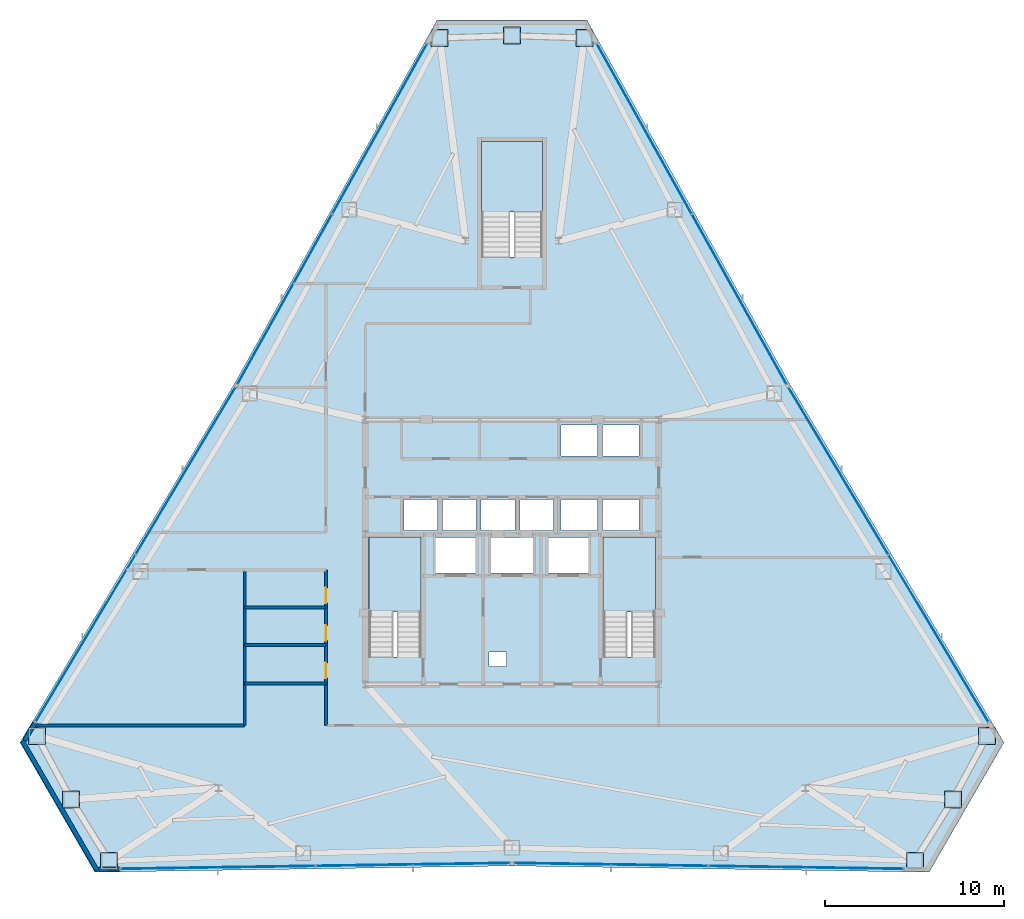
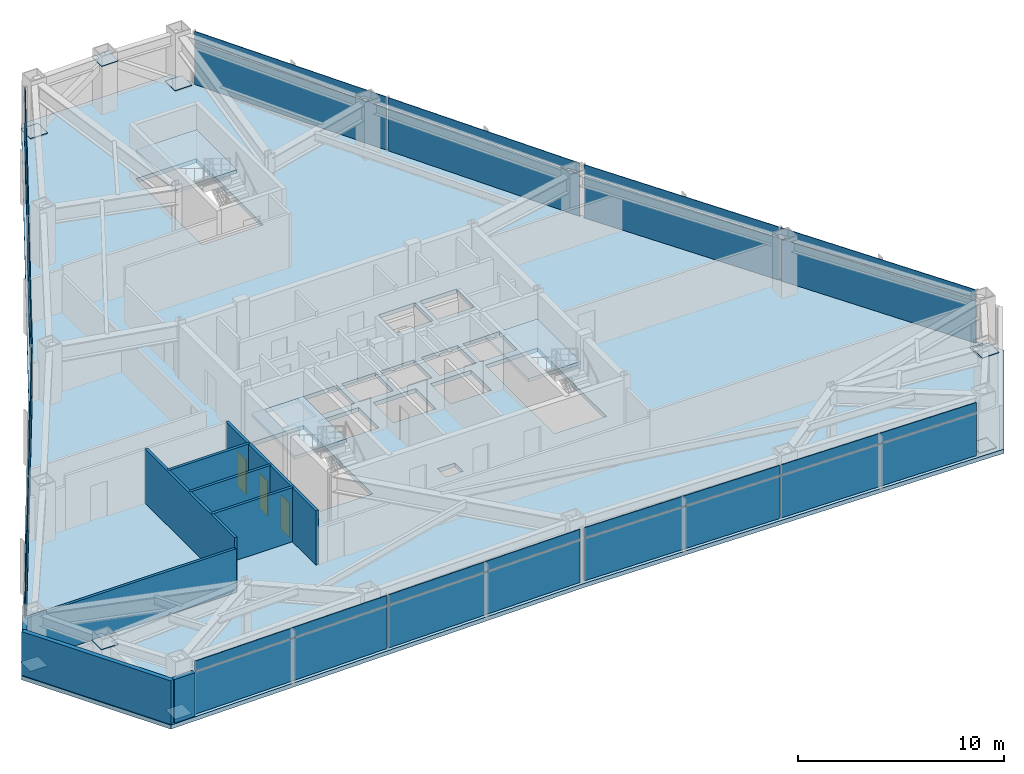
# One storey, part 8 of 11: 33 plates, 9 walls, 4 slabs, 3 doors, 3 openings, 9 elements without a shape of their own.
"""IFC4 building model written with IfcOpenShell, lengths in metres."""

from ifc_helpers import new_model, si_unit, direction, frame, frame_2d, origin, origin_2d, place, context, subcontext, project, spatial, polyline, rectangle, outline, extrude, source, transform, mapped, material, layer, layer_set, type_object, type_shapes, element, fill, aggregate, save


model = new_model("IFC4")

# Units and contexts
model_context = context("Model", 3, precision=1e-05, world=origin(), true_north=direction((0.0, 1.0)))
body_context = subcontext(model_context, "Body", "Model", "MODEL_VIEW")
ifc_project = project(units=[si_unit("LENGTHUNIT", "METRE"), si_unit("AREAUNIT", "SQUARE_METRE"), si_unit("VOLUMEUNIT", "CUBIC_METRE"), si_unit("PLANEANGLEUNIT", "RADIAN"), si_unit("MASSUNIT", "GRAM", prefix="KILO")], contexts=[model_context])

# Site, building, storey
site_placement = place(None, origin())
site = spatial("IfcSite", under=ifc_project, at=site_placement, CompositionType="ELEMENT")
building_placement = place(site_placement, origin())
building = spatial("IfcBuilding", under=site, at=building_placement, Name="Varakhsha Concourse Tower", CompositionType="ELEMENT")
storey_placement = place(building_placement, frame((0.0, 0.0, 140.14990234375)))
storey = spatial("IfcBuildingStorey", under=building, at=storey_placement, Name="L40", CompositionType="ELEMENT", Elevation=140.14990234375)

# Slab
ifc_material_1 = material(Name="Concrete fc 45 MPa", Category="concrete")
ifc_layer_1 = layer(ifc_material_1, 0.239990234375, Name="SL-FLR-240")
ifc_layer_set_1 = layer_set([ifc_layer_1], Name="Concrete fc 45 MPa")
slab_type_1 = type_object("IfcSlabType", Name="SL-FLR-240", PredefinedType="FLOOR", material=ifc_layer_set_1)
slab_1_placement = place(storey_placement, frame((0.0, 0.0, -0.239990234375)))
element("IfcSlab", 1, at=slab_1_placement, inside=storey, type_object=slab_type_1, Name="L40 Composite Structural Slab", PredefinedType="FLOOR", context=body_context, shape_type="SweptSolid", body=[
    extrude(outline(polyline([(44.185791015625, 53.55029296875), (35.814208984375, 53.55029296875), (24.4560546875, 33.17431640625), (12.4892578125, 13.14990234375), (16.6748046875, 5.89990234375), (40.0, 6.25146484375), (63.3251953125, 5.89990234375), (67.5107421875, 13.14990234375), (55.5439453125, 33.17431640625), (44.185791015625, 53.55029296875)]), holes=[polyline([(34.919921875, 17.93994140625), (34.919921875, 24.6298828125), (32.0, 24.6298828125), (32.0, 17.93994140625), (34.919921875, 17.93994140625)]), polyline([(48.02001953125, 17.93994140625), (48.02001953125, 24.6298828125), (45.10009765625, 24.6298828125), (45.10009765625, 17.93994140625), (48.02001953125, 17.93994140625)]), polyline([(41.699951171875, 40.300048828125), (41.699951171875, 46.75), (38.300048828125, 46.75), (38.300048828125, 40.300048828125), (41.699951171875, 40.300048828125)]), polyline([(33.9599609375, 25.0), (35.840087890625, 25.0), (35.840087890625, 26.739990234375), (33.9599609375, 26.739990234375), (33.9599609375, 25.0)]), polyline([(36.1201171875, 25.0), (38.0, 25.0), (38.0, 26.739990234375), (36.1201171875, 26.739990234375), (36.1201171875, 25.0)]), polyline([(38.280029296875, 25.0), (40.159912109375, 25.0), (40.159912109375, 26.739990234375), (38.280029296875, 26.739990234375), (38.280029296875, 25.0)]), polyline([(40.43994140625, 25.0), (42.320068359375, 25.0), (42.320068359375, 26.739990234375), (40.43994140625, 26.739990234375), (40.43994140625, 25.0)]), polyline([(42.739990234375, 29.159912109375), (44.780029296875, 29.159912109375), (44.780029296875, 30.89990234375), (42.739990234375, 30.89990234375), (42.739990234375, 29.159912109375)]), polyline([(45.06005859375, 29.159912109375), (47.10009765625, 29.159912109375), (47.10009765625, 30.89990234375), (45.06005859375, 30.89990234375), (45.06005859375, 29.159912109375)]), polyline([(42.739990234375, 25.0), (44.780029296875, 25.0), (44.780029296875, 26.739990234375), (42.739990234375, 26.739990234375), (42.739990234375, 25.0)]), polyline([(45.06005859375, 25.0), (47.10009765625, 25.0), (47.10009765625, 26.739990234375), (45.06005859375, 26.739990234375), (45.06005859375, 25.0)]), polyline([(35.7099609375, 22.639892578125), (37.989990234375, 22.639892578125), (37.989990234375, 24.60009765625), (35.7099609375, 24.60009765625), (35.7099609375, 22.639892578125)]), polyline([(42.010009765625, 22.639892578125), (44.2900390625, 22.639892578125), (44.2900390625, 24.60009765625), (42.010009765625, 24.60009765625), (42.010009765625, 22.639892578125)]), polyline([(38.81005859375, 22.639892578125), (41.18994140625, 22.639892578125), (41.18994140625, 24.60009765625), (38.81005859375, 24.60009765625), (38.81005859375, 22.639892578125)]), polyline([(38.719970703125, 17.39990234375), (39.679931640625, 17.39990234375), (39.679931640625, 18.199951171875), (38.719970703125, 18.199951171875), (38.719970703125, 17.39990234375)])]), origin(), (0.0, 0.0, 1.0), 0.239990234375),
])

# Stair, slab
stair_type_1 = type_object("IfcStairType", Name="ST-DOGLEG-1360", PredefinedType="HALF_TURN_STAIR", material=ifc_material_1)
stair_1_placement = place(storey_placement, origin())
stair_1 = element("IfcStair", 2, at=stair_1_placement, inside=storey, type_object=stair_type_1, Name="L40 Protected Exit Stair ST1", PredefinedType="HALF_TURN_STAIR")
ifc_layer_2 = layer(ifc_material_1, 0.199951171875, Name="SL-LAND-200")
ifc_layer_set_2 = layer_set([ifc_layer_2], Name="Concrete fc 45 MPa")
slab_type_2 = type_object("IfcSlabType", Name="SL-LAND-200", PredefinedType="LANDING", material=ifc_layer_set_2)
slab_2_placement = place(storey_placement, frame((0.0, 0.0, 1.525146484375)))
slab_2 = element("IfcSlab", 3, at=slab_2_placement, type_object=slab_type_2, Name="ST1 landing 1", PredefinedType="LANDING", context=body_context, shape_type="SweptSolid", body=[
    extrude(outline(polyline([(34.919921875, 20.4599609375), (34.919921875, 24.6298828125), (32.0, 24.6298828125), (32.0, 20.4599609375), (34.919921875, 20.4599609375)])), origin(), (0.0, 0.0, 1.0), 0.199951171875),
])
aggregate(stair_1, [slab_2])

stair_2_placement = place(storey_placement, origin())
stair_2 = element("IfcStair", 4, at=stair_2_placement, inside=storey, type_object=stair_type_1, Name="L40 Protected Exit Stair ST2", PredefinedType="HALF_TURN_STAIR")
slab_3_placement = place(storey_placement, frame((0.0, 0.0, 1.525146484375)))
slab_3 = element("IfcSlab", 5, at=slab_3_placement, type_object=slab_type_2, Name="ST2 landing 1", PredefinedType="LANDING", context=body_context, shape_type="SweptSolid", body=[
    extrude(outline(polyline([(48.02001953125, 20.4599609375), (48.02001953125, 24.6298828125), (45.10009765625, 24.6298828125), (45.10009765625, 20.4599609375), (48.02001953125, 20.4599609375)])), origin(), (0.0, 0.0, 1.0), 0.199951171875),
])
aggregate(stair_2, [slab_3])

stair_type_2 = type_object("IfcStairType", Name="ST-DOGLEG-1600", PredefinedType="HALF_TURN_STAIR", material=ifc_material_1)
stair_3_placement = place(storey_placement, origin())
stair_3 = element("IfcStair", 6, at=stair_3_placement, inside=storey, type_object=stair_type_2, Name="L40 Protected Exit Stair ST5", PredefinedType="HALF_TURN_STAIR")
slab_4_placement = place(storey_placement, frame((0.0, 0.0, 1.525146484375)))
slab_4 = element("IfcSlab", 7, at=slab_4_placement, type_object=slab_type_2, Name="ST5 landing 1", PredefinedType="LANDING", context=body_context, shape_type="SweptSolid", body=[
    extrude(outline(polyline([(41.699951171875, 42.820068359375), (41.699951171875, 46.75), (38.300048828125, 46.75), (38.300048828125, 42.820068359375), (41.699951171875, 42.820068359375)])), origin(), (0.0, 0.0, 1.0), 0.199951171875),
])
aggregate(stair_3, [slab_4])

# Plates
ifc_material_2 = material(Name="Structural Steel ASTM A572 Grade 50", Category="steel")
ifc_layer_3 = layer(ifc_material_2, 0.030029296875, Name="PL-ENDCAP-950")
ifc_layer_set_3 = layer_set([ifc_layer_3], Name="Structural Steel ASTM A572 Grade 50")
plate_type_1 = type_object("IfcPlateType", Name="PL-ENDCAP-950", PredefinedType="USERDEFINED", material=ifc_layer_set_3)
shared_shape_1 = source(origin(), body_context, "Body", "SweptSolid", [
    extrude(rectangle(XDim=0.949951171875, YDim=0.949951171875, at=origin_2d()), origin(), (0.0, 0.0, 1.0), 0.030029296875),
])
type_shapes(plate_type_1, [shared_shape_1])
for number, where, z_axis, x_axis, name in (
    (8, (44.042724609375, 52.54833984375, 0.10498046875), (0.0, 0.0, 1.0), (1.0, 0.0, 0.0), "Hollow Section End Cap GP-NODE-L40-0385"),
    (9, (40.0, 52.670166015625, 2.89501953125), (0.0, 0.0, 1.0), (1.0, 0.0, 0.0), "Hollow Section End Cap GP-NODE-L40-0386"),
    (10, (35.957275390625, 52.54833984375, 0.10498046875), (0.0, 0.0, 1.0), (1.0, 0.0, 0.0), "Hollow Section End Cap GP-NODE-L40-0387"),
    (11, (13.42822265625, 13.527099609375, 0.10498046875), (0.0, 0.0, 1.0), (1.0, 0.0, 0.0), "Hollow Section End Cap GP-NODE-L40-0388"),
    (12, (15.34423828125, 9.96484375, 2.89501953125), (0.0, 0.0, 1.0), (1.0, 0.0, 0.0), "Hollow Section End Cap GP-NODE-L40-0389"),
    (13, (17.47119140625, 6.524658203125, 0.10498046875), (0.0, 0.0, 1.0), (1.0, 0.0, 0.0), "Hollow Section End Cap GP-NODE-L40-0390"),
    (14, (62.52880859375, 6.524658203125, 0.10498046875), (0.0, 0.0, 1.0), (1.0, 0.0, 0.0), "Hollow Section End Cap GP-NODE-L40-0391"),
    (15, (64.65576171875, 9.96484375, 2.89501953125), (0.0, 0.0, 1.0), (1.0, 0.0, 0.0), "Hollow Section End Cap GP-NODE-L40-0392"),
    (16, (66.57177734375, 13.527099609375, 0.10498046875), (0.0, 0.0, 1.0), (1.0, 0.0, 0.0), "Hollow Section End Cap GP-NODE-L40-0393"),
):
    element("IfcPlate", number, at=place(storey_placement, frame(where, z_axis=z_axis, x_axis=x_axis)), inside=storey, type_object=plate_type_1, Name=name, ObjectType="END PLATE", PredefinedType="USERDEFINED", context=body_context, shape_type="MappedRepresentation", body=[
        mapped(shared_shape_1, transform((0.0, 0.0, 0.0), scale=1.0)),
    ])

# Curtain wall, plate
ifc_material_3 = material(Name="Anodised Bronze Architectural Aluminium AA 6063-T6", Category="aluminium")
ifc_layer_4 = layer(ifc_material_3, 0.2099609375, Name="CW-SYS-04")
ifc_layer_set_4 = layer_set([ifc_layer_4], Name="Anodised Bronze Architectural Aluminium AA 6063-T6")
curtain_wall_type = type_object("IfcCurtainWallType", Name="CW-SYS-04", PredefinedType="NOTDEFINED", material=ifc_layer_set_4)
curtain_wall_1_placement = place(storey_placement, origin())
curtain_wall_1 = element("IfcCurtainWall", 17, at=curtain_wall_1_placement, inside=storey, type_object=curtain_wall_type, Name="L40 Crystal Curtain Wall F2", PredefinedType="NOTDEFINED")
ifc_material_4 = material(Name="Low-E Triple Insulating Glass IGU 44 mm", Category="glass")
ifc_layer_5 = layer(ifc_material_4, 0.0439453125, Name="CWP-IGU-44")
ifc_layer_set_5 = layer_set([ifc_layer_5], Name="Low-E Triple Insulating Glass IGU 44 mm")
plate_type_2 = type_object("IfcPlateType", Name="CWP-IGU-44", PredefinedType="CURTAIN_PANEL", material=ifc_layer_set_5)
shared_shape_2 = source(origin(), body_context, "Body", "SweptSolid", [
    extrude(rectangle(XDim=10.834716796875, YDim=0.0439453125, at=origin_2d()), origin(), (0.0, 0.0, 1.0), 2.490966796875),
])
plate_1_placement = place(storey_placement, frame((32.605712890625, 47.465576171875, 0.03466796875), z_axis=(0.0, 0.0, 1.0), x_axis=(0.48689953646, 0.873457979181, 0.0)))
plate_1 = element("IfcPlate", 18, at=plate_1_placement, type_object=plate_type_2, Name="CW-L40-F2 Panel 01-00", PredefinedType="CURTAIN_PANEL", context=body_context, shape_type="MappedRepresentation", body=[
    mapped(shared_shape_2, transform((0.0, 0.0, 0.0), scale=1.0)),
])

curtain_wall_2_placement = place(storey_placement, origin())
curtain_wall_2 = element("IfcCurtainWall", 19, at=curtain_wall_2_placement, inside=storey, type_object=curtain_wall_type, Name="L40 Crystal Curtain Wall F5", PredefinedType="NOTDEFINED")
plate_2_placement = place(storey_placement, frame((23.548583984375, 6.16357421875, 0.03466796875), z_axis=(0.0, 0.0, 1.0), x_axis=(-0.99988654105, -0.015063367057, 0.0)))
plate_2 = element("IfcPlate", 20, at=plate_2_placement, type_object=plate_type_2, Name="CW-L40-F5 Panel 01-00", PredefinedType="CURTAIN_PANEL", context=body_context, shape_type="MappedRepresentation", body=[
    mapped(shared_shape_2, transform((0.0, 0.0, 0.0), scale=1.0)),
])

curtain_wall_3_placement = place(storey_placement, origin())
curtain_wall_3 = element("IfcCurtainWall", 21, at=curtain_wall_3_placement, inside=storey, type_object=curtain_wall_type, Name="L40 Crystal Curtain Wall F6", PredefinedType="NOTDEFINED")
plate_3_placement = place(storey_placement, frame((45.538818359375, 6.327880859375, 0.03466796875), z_axis=(0.0, 0.0, 1.0), x_axis=(-0.99988654105, 0.015063367057, 0.0)))
plate_3 = element("IfcPlate", 22, at=plate_3_placement, type_object=plate_type_2, Name="CW-L40-F6 Panel 01-00", PredefinedType="CURTAIN_PANEL", context=body_context, shape_type="MappedRepresentation", body=[
    mapped(shared_shape_2, transform((0.0, 0.0, 0.0), scale=1.0)),
])

curtain_wall_4_placement = place(storey_placement, origin())
curtain_wall_4 = element("IfcCurtainWall", 23, at=curtain_wall_4_placement, inside=storey, type_object=curtain_wall_type, Name="L40 Crystal Curtain Wall F9", PredefinedType="NOTDEFINED")
plate_4_placement = place(storey_placement, frame((52.708251953125, 37.9326171875, 0.03466796875), z_axis=(0.0, 0.0, 1.0), x_axis=(0.48689953646, -0.873457979181, 0.0)))
plate_4 = element("IfcPlate", 24, at=plate_4_placement, type_object=plate_type_2, Name="CW-L40-F9 Panel 01-00", PredefinedType="CURTAIN_PANEL", context=body_context, shape_type="MappedRepresentation", body=[
    mapped(shared_shape_2, transform((0.0, 0.0, 0.0), scale=1.0)),
])

# Plate
ifc_material_5 = material(Name="Glazed Turquoise-Bronze Ceramic Spandrel Panel 38 mm", Category="ceramic")
ifc_layer_6 = layer(ifc_material_5, 0.0380859375, Name="CWP-SPN-38")
ifc_layer_set_6 = layer_set([ifc_layer_6], Name="Glazed Turquoise-Bronze Ceramic Spandrel Panel 38 mm")
plate_type_3 = type_object("IfcPlateType", Name="CWP-SPN-38", PredefinedType="USERDEFINED", material=ifc_layer_set_6)
shared_shape_3 = source(origin(), body_context, "Body", "SweptSolid", [
    extrude(rectangle(XDim=10.834716796875, YDim=0.0380859375, at=origin_2d()), origin(), (0.0, 0.0, 1.0), 0.5810546875),
])
plate_5_placement = place(storey_placement, frame((32.605712890625, 47.465576171875, 2.594482421875), z_axis=(0.0, 0.0, 1.0), x_axis=(0.48689953646, 0.873457979181, 0.0)))
plate_5 = element("IfcPlate", 25, at=plate_5_placement, type_object=plate_type_3, Name="CW-L40-F2 Panel 01-01", ObjectType="SPANDREL", PredefinedType="USERDEFINED", context=body_context, shape_type="MappedRepresentation", body=[
    mapped(shared_shape_3, transform((0.0, 0.0, 0.0), scale=1.0)),
])

plate_6_placement = place(storey_placement, frame((23.548583984375, 6.16357421875, 2.594482421875), z_axis=(0.0, 0.0, 1.0), x_axis=(-0.99988654105, -0.015063367057, 0.0)))
plate_6 = element("IfcPlate", 26, at=plate_6_placement, type_object=plate_type_3, Name="CW-L40-F5 Panel 01-01", ObjectType="SPANDREL", PredefinedType="USERDEFINED", context=body_context, shape_type="MappedRepresentation", body=[
    mapped(shared_shape_3, transform((0.0, 0.0, 0.0), scale=1.0)),
])

plate_7_placement = place(storey_placement, frame((45.538818359375, 6.327880859375, 2.594482421875), z_axis=(0.0, 0.0, 1.0), x_axis=(-0.99988654105, 0.015063367057, 0.0)))
plate_7 = element("IfcPlate", 27, at=plate_7_placement, type_object=plate_type_3, Name="CW-L40-F6 Panel 01-01", ObjectType="SPANDREL", PredefinedType="USERDEFINED", context=body_context, shape_type="MappedRepresentation", body=[
    mapped(shared_shape_3, transform((0.0, 0.0, 0.0), scale=1.0)),
])

plate_8_placement = place(storey_placement, frame((52.708251953125, 37.9326171875, 2.594482421875), z_axis=(0.0, 0.0, 1.0), x_axis=(0.48689953646, -0.873457979181, 0.0)))
plate_8 = element("IfcPlate", 28, at=plate_8_placement, type_object=plate_type_3, Name="CW-L40-F9 Panel 01-01", ObjectType="SPANDREL", PredefinedType="USERDEFINED", context=body_context, shape_type="MappedRepresentation", body=[
    mapped(shared_shape_3, transform((0.0, 0.0, 0.0), scale=1.0)),
])

shared_shape_4 = source(origin(), body_context, "Body", "SweptSolid", [
    extrude(rectangle(XDim=10.8349609375, YDim=0.0439453125, at=origin_2d()), origin(), (0.0, 0.0, 1.0), 2.490966796875),
])
type_shapes(plate_type_2, [shared_shape_2, shared_shape_4])
plate_9_placement = place(storey_placement, frame((27.291748046875, 37.9326171875, 0.03466796875), z_axis=(0.0, 0.0, 1.0), x_axis=(0.48689953646, 0.873457979181, 0.0)))
plate_9 = element("IfcPlate", 29, at=plate_9_placement, type_object=plate_type_2, Name="CW-L40-F2 Panel 00-00", PredefinedType="CURTAIN_PANEL", context=body_context, shape_type="MappedRepresentation", body=[
    mapped(shared_shape_4, transform((0.0, 0.0, 0.0), scale=1.0)),
])

# Curtain wall, plates
curtain_wall_5_placement = place(storey_placement, origin())
curtain_wall_5 = element("IfcCurtainWall", 30, at=curtain_wall_5_placement, inside=storey, type_object=curtain_wall_type, Name="L40 Crystal Curtain Wall F3", PredefinedType="NOTDEFINED")
plate_10_placement = place(storey_placement, frame((16.154296875, 18.970947265625, 0.03466796875), z_axis=(0.0, 0.0, 1.0), x_axis=(0.512984034508, 0.858398147913, 0.0)))
plate_10 = element("IfcPlate", 31, at=plate_10_placement, type_object=plate_type_2, Name="CW-L40-F3 Panel 00-00", PredefinedType="CURTAIN_PANEL", context=body_context, shape_type="MappedRepresentation", body=[
    mapped(shared_shape_4, transform((0.0, 0.0, 0.0), scale=1.0)),
])
plate_11_placement = place(storey_placement, frame((21.7529296875, 28.33935546875, 0.03466796875), z_axis=(0.0, 0.0, 1.0), x_axis=(0.512984034508, 0.858398147913, 0.0)))
plate_11 = element("IfcPlate", 32, at=plate_11_placement, type_object=plate_type_2, Name="CW-L40-F3 Panel 01-00", PredefinedType="CURTAIN_PANEL", context=body_context, shape_type="MappedRepresentation", body=[
    mapped(shared_shape_4, transform((0.0, 0.0, 0.0), scale=1.0)),
])

# Plate
plate_12_placement = place(storey_placement, frame((34.461181640625, 6.327880859375, 0.03466796875), z_axis=(0.0, 0.0, 1.0), x_axis=(-0.99988654105, -0.015063367057, 0.0)))
plate_12 = element("IfcPlate", 33, at=plate_12_placement, type_object=plate_type_2, Name="CW-L40-F5 Panel 00-00", PredefinedType="CURTAIN_PANEL", context=body_context, shape_type="MappedRepresentation", body=[
    mapped(shared_shape_4, transform((0.0, 0.0, 0.0), scale=1.0)),
])

plate_13_placement = place(storey_placement, frame((56.451416015625, 6.16357421875, 0.03466796875), z_axis=(0.0, 0.0, 1.0), x_axis=(-0.99988654105, 0.015063367057, 0.0)))
plate_13 = element("IfcPlate", 34, at=plate_13_placement, type_object=plate_type_2, Name="CW-L40-F6 Panel 00-00", PredefinedType="CURTAIN_PANEL", context=body_context, shape_type="MappedRepresentation", body=[
    mapped(shared_shape_4, transform((0.0, 0.0, 0.0), scale=1.0)),
])

# Curtain wall, plates
curtain_wall_6_placement = place(storey_placement, origin())
curtain_wall_6 = element("IfcCurtainWall", 35, at=curtain_wall_6_placement, inside=storey, type_object=curtain_wall_type, Name="L40 Crystal Curtain Wall F8", PredefinedType="NOTDEFINED")
plate_14_placement = place(storey_placement, frame((58.2470703125, 28.33935546875, 0.03466796875), z_axis=(0.0, 0.0, 1.0), x_axis=(0.512984034508, -0.858398147913, 0.0)))
plate_14 = element("IfcPlate", 36, at=plate_14_placement, type_object=plate_type_2, Name="CW-L40-F8 Panel 00-00", PredefinedType="CURTAIN_PANEL", context=body_context, shape_type="MappedRepresentation", body=[
    mapped(shared_shape_4, transform((0.0, 0.0, 0.0), scale=1.0)),
])
plate_15_placement = place(storey_placement, frame((63.845703125, 18.970947265625, 0.03466796875), z_axis=(0.0, 0.0, 1.0), x_axis=(0.512984034508, -0.858398147913, 0.0)))
plate_15 = element("IfcPlate", 37, at=plate_15_placement, type_object=plate_type_2, Name="CW-L40-F8 Panel 01-00", PredefinedType="CURTAIN_PANEL", context=body_context, shape_type="MappedRepresentation", body=[
    mapped(shared_shape_4, transform((0.0, 0.0, 0.0), scale=1.0)),
])

# Plate
plate_16_placement = place(storey_placement, frame((47.394287109375, 47.465576171875, 0.03466796875), z_axis=(0.0, 0.0, 1.0), x_axis=(0.48689953646, -0.873457979181, 0.0)))
plate_16 = element("IfcPlate", 38, at=plate_16_placement, type_object=plate_type_2, Name="CW-L40-F9 Panel 00-00", PredefinedType="CURTAIN_PANEL", context=body_context, shape_type="MappedRepresentation", body=[
    mapped(shared_shape_4, transform((0.0, 0.0, 0.0), scale=1.0)),
])

shared_shape_5 = source(origin(), body_context, "Body", "SweptSolid", [
    extrude(rectangle(XDim=10.8349609375, YDim=0.0380859375, at=origin_2d()), origin(), (0.0, 0.0, 1.0), 0.5810546875),
])
type_shapes(plate_type_3, [shared_shape_3, shared_shape_5])
plate_17_placement = place(storey_placement, frame((27.291748046875, 37.9326171875, 2.594482421875), z_axis=(0.0, 0.0, 1.0), x_axis=(0.48689953646, 0.873457979181, 0.0)))
plate_17 = element("IfcPlate", 39, at=plate_17_placement, type_object=plate_type_3, Name="CW-L40-F2 Panel 00-01", ObjectType="SPANDREL", PredefinedType="USERDEFINED", context=body_context, shape_type="MappedRepresentation", body=[
    mapped(shared_shape_5, transform((0.0, 0.0, 0.0), scale=1.0)),
])

aggregate(curtain_wall_1, [plate_9, plate_17, plate_1, plate_5])

plate_18_placement = place(storey_placement, frame((16.154296875, 18.970947265625, 2.594482421875), z_axis=(0.0, 0.0, 1.0), x_axis=(0.512984034508, 0.858398147913, 0.0)))
plate_18 = element("IfcPlate", 40, at=plate_18_placement, type_object=plate_type_3, Name="CW-L40-F3 Panel 00-01", ObjectType="SPANDREL", PredefinedType="USERDEFINED", context=body_context, shape_type="MappedRepresentation", body=[
    mapped(shared_shape_5, transform((0.0, 0.0, 0.0), scale=1.0)),
])

plate_19_placement = place(storey_placement, frame((21.7529296875, 28.33935546875, 2.594482421875), z_axis=(0.0, 0.0, 1.0), x_axis=(0.512984034508, 0.858398147913, 0.0)))
plate_19 = element("IfcPlate", 41, at=plate_19_placement, type_object=plate_type_3, Name="CW-L40-F3 Panel 01-01", ObjectType="SPANDREL", PredefinedType="USERDEFINED", context=body_context, shape_type="MappedRepresentation", body=[
    mapped(shared_shape_5, transform((0.0, 0.0, 0.0), scale=1.0)),
])

aggregate(curtain_wall_5, [plate_10, plate_18, plate_11, plate_19])

plate_20_placement = place(storey_placement, frame((34.461181640625, 6.327880859375, 2.594482421875), z_axis=(0.0, 0.0, 1.0), x_axis=(-0.99988654105, -0.015063367057, 0.0)))
plate_20 = element("IfcPlate", 42, at=plate_20_placement, type_object=plate_type_3, Name="CW-L40-F5 Panel 00-01", ObjectType="SPANDREL", PredefinedType="USERDEFINED", context=body_context, shape_type="MappedRepresentation", body=[
    mapped(shared_shape_5, transform((0.0, 0.0, 0.0), scale=1.0)),
])

aggregate(curtain_wall_2, [plate_12, plate_20, plate_2, plate_6])

plate_21_placement = place(storey_placement, frame((56.451416015625, 6.16357421875, 2.594482421875), z_axis=(0.0, 0.0, 1.0), x_axis=(-0.99988654105, 0.015063367057, 0.0)))
plate_21 = element("IfcPlate", 43, at=plate_21_placement, type_object=plate_type_3, Name="CW-L40-F6 Panel 00-01", ObjectType="SPANDREL", PredefinedType="USERDEFINED", context=body_context, shape_type="MappedRepresentation", body=[
    mapped(shared_shape_5, transform((0.0, 0.0, 0.0), scale=1.0)),
])

aggregate(curtain_wall_3, [plate_13, plate_21, plate_3, plate_7])

plate_22_placement = place(storey_placement, frame((58.2470703125, 28.33935546875, 2.594482421875), z_axis=(0.0, 0.0, 1.0), x_axis=(0.512984034508, -0.858398147913, 0.0)))
plate_22 = element("IfcPlate", 44, at=plate_22_placement, type_object=plate_type_3, Name="CW-L40-F8 Panel 00-01", ObjectType="SPANDREL", PredefinedType="USERDEFINED", context=body_context, shape_type="MappedRepresentation", body=[
    mapped(shared_shape_5, transform((0.0, 0.0, 0.0), scale=1.0)),
])

plate_23_placement = place(storey_placement, frame((63.845703125, 18.970947265625, 2.594482421875), z_axis=(0.0, 0.0, 1.0), x_axis=(0.512984034508, -0.858398147913, 0.0)))
plate_23 = element("IfcPlate", 45, at=plate_23_placement, type_object=plate_type_3, Name="CW-L40-F8 Panel 01-01", ObjectType="SPANDREL", PredefinedType="USERDEFINED", context=body_context, shape_type="MappedRepresentation", body=[
    mapped(shared_shape_5, transform((0.0, 0.0, 0.0), scale=1.0)),
])

aggregate(curtain_wall_6, [plate_14, plate_22, plate_15, plate_23])

plate_24_placement = place(storey_placement, frame((47.394287109375, 47.465576171875, 2.594482421875), z_axis=(0.0, 0.0, 1.0), x_axis=(0.48689953646, -0.873457979181, 0.0)))
plate_24 = element("IfcPlate", 46, at=plate_24_placement, type_object=plate_type_3, Name="CW-L40-F9 Panel 00-01", ObjectType="SPANDREL", PredefinedType="USERDEFINED", context=body_context, shape_type="MappedRepresentation", body=[
    mapped(shared_shape_5, transform((0.0, 0.0, 0.0), scale=1.0)),
])

aggregate(curtain_wall_4, [plate_16, plate_24, plate_4, plate_8])

# Walls
ifc_layer_7 = layer(ifc_material_1, 0.239990234375, Name="WL-EXT-CRN-240")
ifc_layer_set_7 = layer_set([ifc_layer_7], Name="Concrete fc 45 MPa")
wall_type_1 = type_object("IfcWallType", Name="WL-EXT-CRN-240", PredefinedType="SHEAR", material=ifc_layer_set_7)
wall_1_placement = place(storey_placement, frame((13.335693359375, 14.25439453125, 0.0), z_axis=(0.0, 0.0, 1.0), x_axis=(-0.512919581386, -0.858436662213, 0.0)))
element("IfcWall", 47, at=wall_1_placement, inside=storey, type_object=wall_type_1, Name="L40 Wind-Corner Shoulder Wall F3", PredefinedType="SHEAR", context=body_context, shape_type="SweptSolid", body=[
    extrude(rectangle(XDim=1.162353515625, YDim=0.239990234375, at=frame_2d((0.5810546875, 0.0))), origin(), (0.0, 0.0, 1.0), 2.5830078125),
])
wall_2_placement = place(storey_placement, frame((16.8134765625, 5.97998046875, 0.0), z_axis=(0.0, 0.0, 1.0), x_axis=(-0.500012768347, 0.86601803185, 0.0)))
element("IfcWall", 48, at=wall_2_placement, inside=storey, type_object=wall_type_1, Name="L40 Chamfer Wind-Corner Insulated Wall F4", PredefinedType="SHEAR", context=body_context, shape_type="SweptSolid", body=[
    extrude(rectangle(XDim=8.371337890625, YDim=0.239990234375, at=frame_2d((4.185546875, 0.0))), origin(), (0.0, 0.0, 1.0), 2.5830078125),
])
wall_3_placement = place(storey_placement, frame((16.892578125, 6.063232421875, 0.0), z_axis=(0.0, 0.0, 1.0), x_axis=(0.999885668961, 0.015121144332, 0.0)))
element("IfcWall", 49, at=wall_3_placement, inside=storey, type_object=wall_type_1, Name="L40 Wind-Corner Shoulder Wall F5", PredefinedType="SHEAR", context=body_context, shape_type="SweptSolid", body=[
    extrude(rectangle(XDim=1.16259765625, YDim=0.239990234375, at=frame_2d((0.581298828125, 0.0))), origin(), (0.0, 0.0, 1.0), 2.5830078125),
])

# Wall, openings, doors
ifc_material_6 = material(Name="Fire-Rated Type X Gypsum Partition Assembly", Category="gypsum")
ifc_layer_8 = layer(ifc_material_6, 0.14990234375, Name="WL-PART-150")
ifc_layer_set_8 = layer_set([ifc_layer_8], Name="Fire-Rated Type X Gypsum Partition Assembly")
wall_type_2 = type_object("IfcWallType", Name="WL-PART-150", PredefinedType="PARTITIONING", material=ifc_layer_set_8)
wall_4_placement = place(storey_placement, frame((29.60009765625, 14.10009765625, 0.0), z_axis=(0.0, 0.0, 1.0), x_axis=(0.0, 1.0, 0.0)))
wall_4 = element("IfcWall", 50, at=wall_4_placement, inside=storey, type_object=wall_type_2, Name="L40 Wall CRW-WS-L40", PredefinedType="PARTITIONING", context=body_context, shape_type="SweptSolid", body=[
    extrude(rectangle(XDim=8.699951171875, YDim=0.14990234375, at=frame_2d((4.35009765625, 0.0))), origin(), (0.0, 0.0, 1.0), 3.210205078125),
])
opening_1_placement = place(wall_4_placement, frame((2.64990234375, 0.0, 0.0)))
opening_1 = element("IfcOpeningElement", 51, at=opening_1_placement, cuts=wall_4, Name="Opening DF-07", PredefinedType="OPENING", context=body_context, shape_type="SweptSolid", body=[
    extrude(rectangle(XDim=0.85009765625, YDim=2.050048828125, at=frame_2d((0.425048828125, 1.02490234375))), frame((0.0, 0.0849609375, 0.0), z_axis=(0.0, -1.0, 0.0), x_axis=(1.0, 0.0, 0.0)), (0.0, 0.0, 1.0), 0.169921875),
])
opening_2_placement = place(wall_4_placement, frame((4.75, 0.0, 0.0)))
opening_2 = element("IfcOpeningElement", 52, at=opening_2_placement, cuts=wall_4, Name="Opening DF-07", PredefinedType="OPENING", context=body_context, shape_type="SweptSolid", body=[
    extrude(rectangle(XDim=0.85009765625, YDim=2.050048828125, at=frame_2d((0.425048828125, 1.02490234375))), frame((0.0, 0.0849609375, 0.0), z_axis=(0.0, -1.0, 0.0), x_axis=(1.0, 0.0, 0.0)), (0.0, 0.0, 1.0), 0.169921875),
])
opening_3_placement = place(wall_4_placement, frame((6.85009765625, 0.0, 0.0)))
opening_3 = element("IfcOpeningElement", 53, at=opening_3_placement, cuts=wall_4, Name="Opening DF-07", PredefinedType="OPENING", context=body_context, shape_type="SweptSolid", body=[
    extrude(rectangle(XDim=0.85009765625, YDim=2.050048828125, at=frame_2d((0.425048828125, 1.02490234375))), frame((0.0, 0.0849609375, 0.0), z_axis=(0.0, -1.0, 0.0), x_axis=(1.0, 0.0, 0.0)), (0.0, 0.0, 1.0), 0.169921875),
])
ifc_material_7 = material(Name="Hollow Galvanised Steel Fire Door Assembly", Category="steel")
door_type = type_object("IfcDoorType", Name="DR-FD60-850", OperationType="NOTDEFINED", PredefinedType="DOOR", material=ifc_material_7)
door_1_placement = place(opening_1_placement, origin())
door_1 = element("IfcDoor", 54, at=door_1_placement, inside=storey, type_object=door_type, Name="L40 Men Restroom WC Door", OperationType="SINGLE_SWING_LEFT", OverallHeight=2.050048828125, OverallWidth=0.85009765625, PredefinedType="DOOR", context=body_context, shape_type="SweptSolid", body=[
    extrude(rectangle(XDim=0.85009765625, YDim=2.050048828125, at=frame_2d((0.425048828125, 1.02490234375))), frame((0.0, 0.02490234375, 0.0), z_axis=(0.0, -1.0, 0.0), x_axis=(1.0, 0.0, 0.0)), (0.0, 0.0, 1.0), 0.050048828125),
])
fill(opening_1, door_1)
door_2_placement = place(opening_2_placement, origin())
door_2 = element("IfcDoor", 55, at=door_2_placement, inside=storey, type_object=door_type, Name="L40 Women Restroom WC Door", OperationType="SINGLE_SWING_LEFT", OverallHeight=2.050048828125, OverallWidth=0.85009765625, PredefinedType="DOOR", context=body_context, shape_type="SweptSolid", body=[
    extrude(rectangle(XDim=0.85009765625, YDim=2.050048828125, at=frame_2d((0.425048828125, 1.02490234375))), frame((0.0, 0.02490234375, 0.0), z_axis=(0.0, -1.0, 0.0), x_axis=(1.0, 0.0, 0.0)), (0.0, 0.0, 1.0), 0.050048828125),
])
fill(opening_2, door_2)
door_3_placement = place(opening_3_placement, origin())
door_3 = element("IfcDoor", 56, at=door_3_placement, inside=storey, type_object=door_type, Name="L40 Accessible WC Door", OperationType="SINGLE_SWING_LEFT", OverallHeight=2.050048828125, OverallWidth=0.85009765625, PredefinedType="DOOR", context=body_context, shape_type="SweptSolid", body=[
    extrude(rectangle(XDim=0.85009765625, YDim=2.050048828125, at=frame_2d((0.425048828125, 1.02490234375))), frame((0.0, 0.02490234375, 0.0), z_axis=(0.0, -1.0, 0.0), x_axis=(1.0, 0.0, 0.0)), (0.0, 0.0, 1.0), 0.050048828125),
])
fill(opening_3, door_3)

# Walls
wall_5_placement = place(storey_placement, frame((25.050048828125, 14.10009765625, 0.0), z_axis=(0.0, 0.0, 1.0), x_axis=(0.0, 1.0, 0.0)))
element("IfcWall", 57, at=wall_5_placement, inside=storey, type_object=wall_type_2, Name="L40 Wall C2WC-W-L40", PredefinedType="PARTITIONING", context=body_context, shape_type="SweptSolid", body=[
    extrude(rectangle(XDim=8.699951171875, YDim=0.14990234375, at=frame_2d((4.35009765625, 0.0))), origin(), (0.0, 0.0, 1.0), 3.210205078125),
])
for number, where, z_axis, x_axis, name in (
    (58, (25.050048828125, 16.449951171875, 0.0), (0.0, 0.0, 1.0), (1.0, 0.0, 0.0), "L40 Wall C2WC-S-L40"),
    (59, (25.050048828125, 18.60009765625, 0.0), (0.0, 0.0, 1.0), (1.0, 0.0, 0.0), "L40 Wall C2WC-D1-L40"),
    (60, (25.050048828125, 20.699951171875, 0.0), (0.0, 0.0, 1.0), (1.0, 0.0, 0.0), "L40 Wall C2WC-D2-L40"),
):
    element("IfcWall", number, at=place(storey_placement, frame(where, z_axis=z_axis, x_axis=x_axis)), inside=storey, type_object=wall_type_2, Name=name, PredefinedType="PARTITIONING", context=body_context, shape_type="SweptSolid", body=[
        extrude(rectangle(XDim=4.550048828125, YDim=0.14990234375, at=frame_2d((2.27490234375, 0.0))), origin(), (0.0, 0.0, 1.0), 3.210205078125),
    ])
wall_6_placement = place(storey_placement, frame((13.249267578125, 14.10009765625, 0.0), z_axis=(0.0, 0.0, 1.0), x_axis=(1.0, 0.0, 0.0)))
element("IfcWall", 61, at=wall_6_placement, inside=storey, type_object=wall_type_2, Name="L40 Wall ODIV-SWB-L40", PredefinedType="PARTITIONING", context=body_context, shape_type="SweptSolid", body=[
    extrude(rectangle(XDim=11.80078125, YDim=0.14990234375, at=frame_2d((5.900390625, 0.0))), origin(), (0.0, 0.0, 1.0), 2.589111328125),
])

save(model, "model.ifc")
